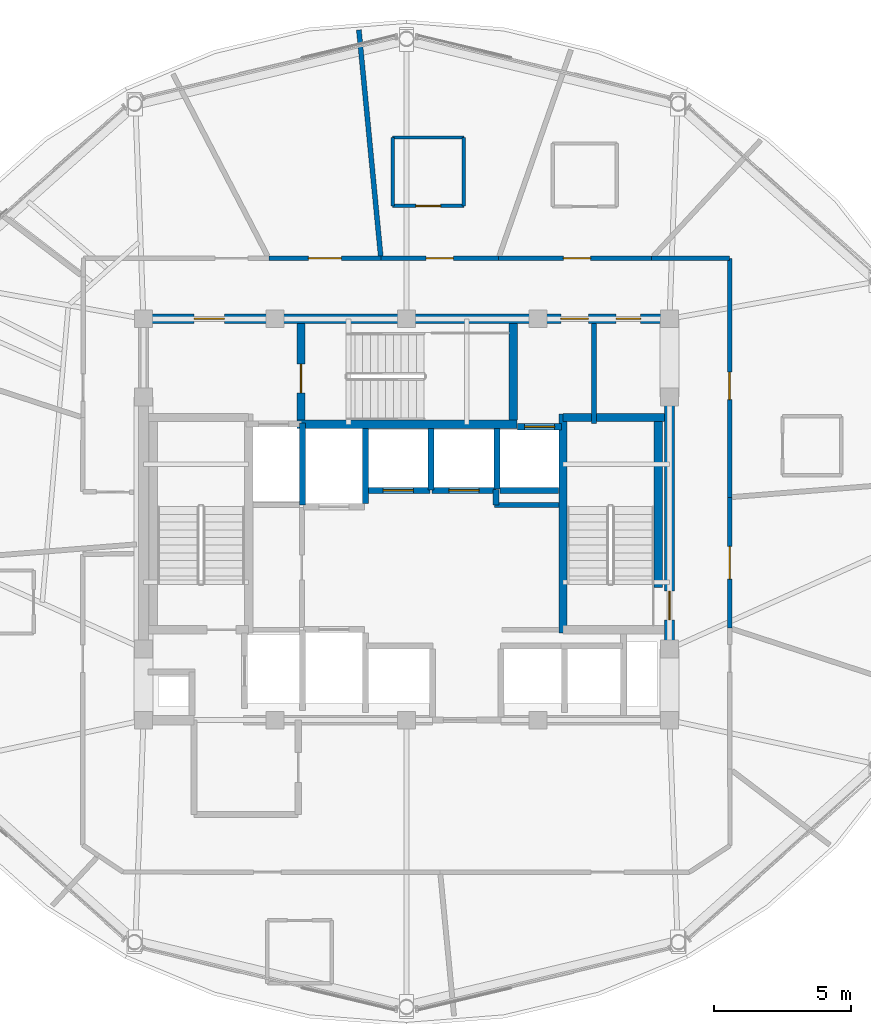
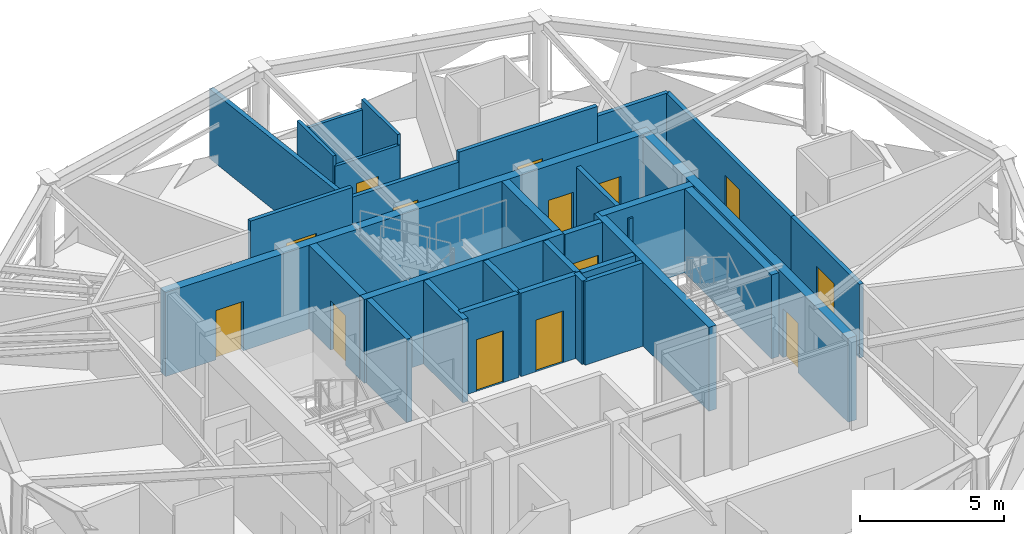
# One storey, part 10 of 15: 30 walls, 14 doors, 14 openings.
"""IFC4 building model written with IfcOpenShell, lengths in metres."""

from ifc_helpers import new_model, si_unit, direction, frame, frame_2d, origin, place, context, subcontext, project, spatial, rectangle, extrude, material, layer, layer_set, type_object, element, fill, save


model = new_model("IFC4")

# Units and contexts
model_context = context("Model", 3, precision=1e-05, world=origin(), true_north=direction((0.0, 1.0)))
body_context = subcontext(model_context, "Body", "Model", "MODEL_VIEW")
ifc_project = project(units=[si_unit("LENGTHUNIT", "METRE"), si_unit("AREAUNIT", "SQUARE_METRE"), si_unit("VOLUMEUNIT", "CUBIC_METRE"), si_unit("PLANEANGLEUNIT", "RADIAN"), si_unit("MASSUNIT", "GRAM", prefix="KILO")], contexts=[model_context])

# Site, building, storey
site_placement = place(None, origin())
site = spatial("IfcSite", under=ifc_project, at=site_placement, CompositionType="ELEMENT")
building_placement = place(site_placement, origin())
building = spatial("IfcBuilding", under=site, at=building_placement, Name="Vantalir Tower", CompositionType="ELEMENT")
storey_placement = place(building_placement, frame((0.0, 0.0, 263.85009765625)))
storey = spatial("IfcBuildingStorey", under=building, at=storey_placement, Name="L66", CompositionType="ELEMENT", Elevation=263.85009765625)

# Wall, opening, door
ifc_material_1 = material(Name="Moisture-resistant en-suite partition", Category="gypsum")
ifc_layer_1 = layer(ifc_material_1, 0.125)
ifc_layer_set_1 = layer_set([ifc_layer_1], Name="Moisture-resistant en-suite partition")
wall_type_1 = type_object("IfcWallType", Name="WL-BATH-125", PredefinedType="PARTITIONING", material=ifc_layer_set_1)
wall_1_placement = place(storey_placement, frame((30.993896484375, 36.569091796875, 0.0), z_axis=(0.0, 0.0, 1.0), x_axis=(1.0, 0.0, 0.0)))
wall_1 = element("IfcWall", 1, at=wall_1_placement, inside=storey, type_object=wall_type_1, Name="L66 En-suite 03 South Wall", PredefinedType="PARTITIONING", context=body_context, shape_type="SweptSolid", body=[
    extrude(rectangle(XDim=2.60009765625, YDim=0.125, at=frame_2d((1.300048828125, 0.0))), origin(), (0.0, 0.0, 1.0), 3.1318359375),
])
opening_1_placement = place(wall_1_placement, frame((0.85009765625, 0.0, 0.0)))
opening_1 = element("IfcOpeningElement", 2, at=opening_1_placement, cuts=wall_1, Name="Opening D-WC", PredefinedType="OPENING", context=body_context, shape_type="SweptSolid", body=[
    extrude(rectangle(XDim=0.89990234375, YDim=2.10009765625, at=frame_2d((0.449951171875, 1.050048828125))), frame((0.0, 0.072509765625, 0.0), z_axis=(0.0, -1.0, 0.0), x_axis=(1.0, 0.0, 0.0)), (0.0, 0.0, 1.0), 0.14501953125),
])
ifc_material_2 = material(Name="Moisture-resistant hardwood door", Category="wood")
door_type_1 = type_object("IfcDoorType", Name="DR-ENSUITE-900", OperationType="NOTDEFINED", PredefinedType="DOOR", material=ifc_material_2)
door_1_placement = place(opening_1_placement, origin())
door_1 = element("IfcDoor", 3, at=door_1_placement, inside=storey, type_object=door_type_1, Name="L66 En-suite 03 Door", OperationType="SINGLE_SWING_RIGHT", OverallHeight=2.10009765625, OverallWidth=0.89990234375, PredefinedType="DOOR", context=body_context, shape_type="SweptSolid", body=[
    extrude(rectangle(XDim=0.89990234375, YDim=2.10009765625, at=frame_2d((0.449951171875, 1.050048828125))), frame((0.0, 0.02490234375, 0.0), z_axis=(0.0, -1.0, 0.0), x_axis=(1.0, 0.0, 0.0)), (0.0, 0.0, 1.0), 0.050048828125),
])
fill(opening_1, door_1)

# Walls
wall_2_placement = place(storey_placement, frame((30.993896484375, 39.069091796875, 0.0), z_axis=(0.0, 0.0, 1.0), x_axis=(1.0, 0.0, 0.0)))
element("IfcWall", 4, at=wall_2_placement, inside=storey, type_object=wall_type_1, Name="L66 En-suite 03 North Wall", PredefinedType="PARTITIONING", context=body_context, shape_type="SweptSolid", body=[
    extrude(rectangle(XDim=2.60009765625, YDim=0.125, at=frame_2d((1.300048828125, 0.0))), origin(), (0.0, 0.0, 1.0), 3.1318359375),
])
for number, where, z_axis, x_axis, name in (
    (5, (30.993896484375, 36.569091796875, 0.0), (0.0, 0.0, 1.0), (0.0, 1.0, 0.0), "L66 En-suite 03 West Wall"),
    (6, (33.593994140625, 36.569091796875, 0.0), (0.0, 0.0, 1.0), (0.0, 1.0, 0.0), "L66 En-suite 03 East Wall"),
):
    element("IfcWall", number, at=place(storey_placement, frame(where, z_axis=z_axis, x_axis=x_axis)), inside=storey, type_object=wall_type_1, Name=name, PredefinedType="PARTITIONING", context=body_context, shape_type="SweptSolid", body=[
        extrude(rectangle(XDim=2.5, YDim=0.125, at=frame_2d((1.25, 0.0))), origin(), (0.0, 0.0, 1.0), 3.5498046875),
    ])

# Wall, openings, doors
ifc_material_3 = material(Name="Concrete C50/60", Category="concrete")
ifc_layer_2 = layer(ifc_material_3, 0.35009765625)
ifc_layer_set_2 = layer_set([ifc_layer_2], Name="Concrete C50/60")
wall_type_2 = type_object("IfcWallType", Name="WL-CORE-350", PredefinedType="SHEAR", material=ifc_layer_set_2)
wall_3_placement = place(storey_placement, frame((21.72509765625, 32.449951171875, 0.0), z_axis=(0.0, 0.0, 1.0), x_axis=(1.0, 0.0, 0.0)))
wall_3 = element("IfcWall", 7, at=wall_3_placement, inside=storey, type_object=wall_type_2, Name="L66 Core Shear Wall North", PredefinedType="SHEAR", context=body_context, shape_type="SweptSolid", body=[
    extrude(rectangle(XDim=19.5498046875, YDim=0.35009765625, at=frame_2d((9.77490234375, 0.0))), origin(), (0.0, 0.0, 1.0), 3.56982421875),
])
opening_2_placement = place(wall_3_placement, frame((2.02490234375, 0.0, 0.0)))
opening_2 = element("IfcOpeningElement", 8, at=opening_2_placement, cuts=wall_3, Name="Opening D-FFL", PredefinedType="OPENING", context=body_context, shape_type="SweptSolid", body=[
    extrude(rectangle(XDim=1.10009765625, YDim=2.10009765625, at=frame_2d((0.550048828125, 1.050048828125))), frame((0.0, 0.18505859375, 0.0), z_axis=(0.0, -1.0, 0.0), x_axis=(1.0, 0.0, 0.0)), (0.0, 0.0, 1.0), 0.3701171875),
])
opening_3_placement = place(wall_3_placement, frame((15.4150390625, 0.0, 0.0)))
opening_3 = element("IfcOpeningElement", 9, at=opening_3_placement, cuts=wall_3, Name="Opening D-GUEST", PredefinedType="OPENING", context=body_context, shape_type="SweptSolid", body=[
    extrude(rectangle(XDim=1.0, YDim=2.10009765625, at=frame_2d((0.5, 1.050048828125))), frame((0.0, 0.18505859375, 0.0), z_axis=(0.0, -1.0, 0.0), x_axis=(1.0, 0.0, 0.0)), (0.0, 0.0, 1.0), 0.3701171875),
])
opening_4_placement = place(wall_3_placement, frame((17.425048828125, 0.0, 0.0)))
opening_4 = element("IfcOpeningElement", 10, at=opening_4_placement, cuts=wall_3, Name="Opening D-CR", PredefinedType="OPENING", context=body_context, shape_type="SweptSolid", body=[
    extrude(rectangle(XDim=0.89990234375, YDim=2.10009765625, at=frame_2d((0.449951171875, 1.050048828125))), frame((0.0, 0.18505859375, 0.0), z_axis=(0.0, -1.0, 0.0), x_axis=(1.0, 0.0, 0.0)), (0.0, 0.0, 1.0), 0.3701171875),
])
ifc_material_4 = material(Name="Fire-rated steel core service door", Category="steel")
door_type_2 = type_object("IfcDoorType", Name="DR-CORE-SERV-900", OperationType="NOTDEFINED", PredefinedType="DOOR", material=ifc_material_4)
door_2_placement = place(opening_4_placement, frame((0.89990234375, 0.0, 0.0), z_axis=(0.0, 0.0, 1.0), x_axis=(-1.0, 0.0, 0.0)))
door_2 = element("IfcDoor", 11, at=door_2_placement, inside=storey, type_object=door_type_2, Name="L66 Housekeeping and Linen Room Door", OperationType="SINGLE_SWING_RIGHT", OverallHeight=2.10009765625, OverallWidth=0.89990234375, PredefinedType="DOOR", context=body_context, shape_type="SweptSolid", body=[
    extrude(rectangle(XDim=0.89990234375, YDim=2.10009765625, at=frame_2d((0.449951171875, 1.050048828125))), frame((0.0, 0.02490234375, 0.0), z_axis=(0.0, -1.0, 0.0), x_axis=(1.0, 0.0, 0.0)), (0.0, 0.0, 1.0), 0.050048828125),
])
fill(opening_4, door_2)
ifc_material_5 = material(Name="Fire-rated acoustic steel door", Category="steel")
door_type_3 = type_object("IfcDoorType", Name="DR-FIRE-LOBBY-1100", OperationType="NOTDEFINED", PredefinedType="DOOR", material=ifc_material_5)
door_3_placement = place(opening_2_placement, frame((1.10009765625, 0.0, 0.0), z_axis=(0.0, 0.0, 1.0), x_axis=(-1.0, 0.0, 0.0)))
door_3 = element("IfcDoor", 12, at=door_3_placement, inside=storey, type_object=door_type_3, Name="L66 Firefighting Lobby East Access Door", OperationType="SINGLE_SWING_RIGHT", OverallHeight=2.10009765625, OverallWidth=1.10009765625, PredefinedType="DOOR", context=body_context, shape_type="SweptSolid", body=[
    extrude(rectangle(XDim=1.10009765625, YDim=2.10009765625, at=frame_2d((0.550048828125, 1.050048828125))), frame((0.0, 0.02490234375, 0.0), z_axis=(0.0, -1.0, 0.0), x_axis=(1.0, 0.0, 0.0)), (0.0, 0.0, 1.0), 0.050048828125),
])
fill(opening_2, door_3)
ifc_material_6 = material(Name="Solid-core teak veneer acoustic fire door", Category="wood")
door_type_4 = type_object("IfcDoorType", Name="DR-GUEST-ENTRY-1000", OperationType="NOTDEFINED", PredefinedType="DOOR", material=ifc_material_6)
door_4_placement = place(opening_3_placement, frame((1.0, 0.0, 0.0), z_axis=(0.0, 0.0, 1.0), x_axis=(-1.0, 0.0, 0.0)))
door_4 = element("IfcDoor", 13, at=door_4_placement, inside=storey, type_object=door_type_4, Name="L66 High-Rise Lift Lobby Door", OperationType="SINGLE_SWING_LEFT", OverallHeight=2.10009765625, OverallWidth=1.0, PredefinedType="DOOR", context=body_context, shape_type="SweptSolid", body=[
    extrude(rectangle(XDim=1.0, YDim=2.10009765625, at=frame_2d((0.5, 1.050048828125))), frame((0.0, 0.02490234375, 0.0), z_axis=(0.0, -1.0, 0.0), x_axis=(1.0, 0.0, 0.0)), (0.0, 0.0, 1.0), 0.050048828125),
])
fill(opening_3, door_4)

# Wall, opening, door
wall_4_placement = place(storey_placement, frame((41.10009765625, 17.97509765625, 0.0), z_axis=(0.0, 0.0, 1.0), x_axis=(0.0, 1.0, 0.0)))
wall_4 = element("IfcWall", 14, at=wall_4_placement, inside=storey, type_object=wall_type_2, Name="L66 Core Shear Wall East", PredefinedType="SHEAR", context=body_context, shape_type="SweptSolid", body=[
    extrude(rectangle(XDim=14.2998046875, YDim=0.35009765625, at=frame_2d((7.14990234375, 0.0))), origin(), (0.0, 0.0, 1.0), 3.56982421875),
])
opening_5_placement = place(wall_4_placement, frame((3.485107421875, 0.0, 0.0)))
opening_5 = element("IfcOpeningElement", 15, at=opening_5_placement, cuts=wall_4, Name="Opening D-ST", PredefinedType="OPENING", context=body_context, shape_type="SweptSolid", body=[
    extrude(rectangle(XDim=1.050048828125, YDim=2.10009765625, at=frame_2d((0.52490234375, 1.050048828125))), frame((0.0, 0.18505859375, 0.0), z_axis=(0.0, -1.0, 0.0), x_axis=(1.0, 0.0, 0.0)), (0.0, 0.0, 1.0), 0.3701171875),
])
ifc_material_7 = material(Name="Fire-rated steel door leaf", Category="steel")
door_type_5 = type_object("IfcDoorType", Name="DR-FIRE-STAIR-1050", OperationType="NOTDEFINED", PredefinedType="DOOR", material=ifc_material_7)
door_5_placement = place(opening_5_placement, origin())
door_5 = element("IfcDoor", 16, at=door_5_placement, inside=storey, type_object=door_type_5, Name="L66 Exit Stair ST2 Fire Door", OperationType="SINGLE_SWING_LEFT", OverallHeight=2.10009765625, OverallWidth=1.050048828125, PredefinedType="DOOR", context=body_context, shape_type="SweptSolid", body=[
    extrude(rectangle(XDim=1.050048828125, YDim=2.10009765625, at=frame_2d((0.52490234375, 1.050048828125))), frame((0.0, 0.02490234375, 0.0), z_axis=(0.0, -1.0, 0.0), x_axis=(1.0, 0.0, 0.0)), (0.0, 0.0, 1.0), 0.050048828125),
])
fill(opening_5, door_5)

ifc_material_8 = material(Name="Fire-rated hotel corridor acoustic partition", Category="gypsum")
ifc_layer_3 = layer(ifc_material_8, 0.159912109375)
ifc_layer_set_3 = layer_set([ifc_layer_3], Name="Fire-rated hotel corridor acoustic partition")
wall_type_3 = type_object("IfcWallType", Name="WL-CORR-160", PredefinedType="PARTITIONING", material=ifc_layer_set_3)
wall_5_placement = place(storey_placement, frame((26.47412109375, 34.660888671875, 0.0), z_axis=(0.0, 0.0, 1.0), x_axis=(1.0, 0.0, 0.0)))
wall_5 = element("IfcWall", 17, at=wall_5_placement, inside=storey, type_object=wall_type_3, Name="L66 Corridor Partition 06", PredefinedType="PARTITIONING", context=body_context, shape_type="SweptSolid", body=[
    extrude(rectangle(XDim=4.093994140625, YDim=0.159912109375, at=frame_2d((2.046875, 0.0))), origin(), (0.0, 0.0, 1.0), 3.5498046875),
])
opening_6_placement = place(wall_5_placement, frame((1.447021484375, 0.0, 0.0)))
opening_6 = element("IfcOpeningElement", 18, at=opening_6_placement, cuts=wall_5, Name="Opening D-STE", PredefinedType="OPENING", context=body_context, shape_type="SweptSolid", body=[
    extrude(rectangle(XDim=1.199951171875, YDim=2.10009765625, at=frame_2d((0.60009765625, 1.050048828125))), frame((0.0, 0.08984375, 0.0), z_axis=(0.0, -1.0, 0.0), x_axis=(1.0, 0.0, 0.0)), (0.0, 0.0, 1.0), 0.179931640625),
])
ifc_material_9 = material(Name="Solid-core teak veneer suite entrance door", Category="wood")
door_type_6 = type_object("IfcDoorType", Name="DR-SUITE-ENTRY-1200", OperationType="NOTDEFINED", PredefinedType="DOOR", material=ifc_material_9)
door_6_placement = place(opening_6_placement, origin())
door_6 = element("IfcDoor", 19, at=door_6_placement, inside=storey, type_object=door_type_6, Name="L66 Club Reading Lounge 04 Door", OperationType="SINGLE_SWING_RIGHT", OverallHeight=2.10009765625, OverallWidth=1.199951171875, PredefinedType="DOOR", context=body_context, shape_type="SweptSolid", body=[
    extrude(rectangle(XDim=1.199951171875, YDim=2.10009765625, at=frame_2d((0.60009765625, 1.050048828125))), frame((0.0, 0.02490234375, 0.0), z_axis=(0.0, -1.0, 0.0), x_axis=(1.0, 0.0, 0.0)), (0.0, 0.0, 1.0), 0.050048828125),
])
fill(opening_6, door_6)

wall_6_placement = place(storey_placement, frame((30.568115234375, 34.660888671875, 0.0), z_axis=(0.0, 0.0, 1.0), x_axis=(1.0, 0.0, 0.0)))
wall_6 = element("IfcWall", 20, at=wall_6_placement, inside=storey, type_object=wall_type_3, Name="L66 Corridor Partition 07", PredefinedType="PARTITIONING", context=body_context, shape_type="SweptSolid", body=[
    extrude(rectangle(XDim=4.2919921875, YDim=0.159912109375, at=frame_2d((2.14599609375, 0.0))), origin(), (0.0, 0.0, 1.0), 3.1318359375),
])
opening_7_placement = place(wall_6_placement, frame((1.64599609375, 0.0, 0.0)))
opening_7 = element("IfcOpeningElement", 21, at=opening_7_placement, cuts=wall_6, Name="Opening D-GUEST", PredefinedType="OPENING", context=body_context, shape_type="SweptSolid", body=[
    extrude(rectangle(XDim=1.0, YDim=2.10009765625, at=frame_2d((0.5, 1.050048828125))), frame((0.0, 0.08984375, 0.0), z_axis=(0.0, -1.0, 0.0), x_axis=(1.0, 0.0, 0.0)), (0.0, 0.0, 1.0), 0.179931640625),
])
door_7_placement = place(opening_7_placement, origin())
door_7 = element("IfcDoor", 22, at=door_7_placement, inside=storey, type_object=door_type_4, Name="L66 Twin Queen Hotel Room 03 Door", OperationType="SINGLE_SWING_LEFT", OverallHeight=2.10009765625, OverallWidth=1.0, PredefinedType="DOOR", context=body_context, shape_type="SweptSolid", body=[
    extrude(rectangle(XDim=1.0, YDim=2.10009765625, at=frame_2d((0.5, 1.050048828125))), frame((0.0, 0.02490234375, 0.0), z_axis=(0.0, -1.0, 0.0), x_axis=(1.0, 0.0, 0.0)), (0.0, 0.0, 1.0), 0.050048828125),
])
fill(opening_7, door_7)

wall_7_placement = place(storey_placement, frame((34.860107421875, 34.660888671875, 0.0), z_axis=(0.0, 0.0, 1.0), x_axis=(0.99999998469, -0.00017498578, 0.0)))
wall_7 = element("IfcWall", 23, at=wall_7_placement, inside=storey, type_object=wall_type_3, Name="L66 Corridor Partition 08", PredefinedType="PARTITIONING", context=body_context, shape_type="SweptSolid", body=[
    extrude(rectangle(XDim=5.580810546875, YDim=0.159912109375, at=frame_2d((2.79052734375, 0.0))), origin(), (0.0, 0.0, 1.0), 3.5498046875),
])
opening_8_placement = place(wall_7_placement, frame((2.364013671875, 0.0, 0.0)))
opening_8 = element("IfcOpeningElement", 24, at=opening_8_placement, cuts=wall_7, Name="Opening D-GUEST", PredefinedType="OPENING", context=body_context, shape_type="SweptSolid", body=[
    extrude(rectangle(XDim=1.0, YDim=2.10009765625, at=frame_2d((0.5, 1.050048828125))), frame((0.0, 0.08984375, 0.0), z_axis=(0.0, -1.0, 0.0), x_axis=(1.0, 0.0, 0.0)), (0.0, 0.0, 1.0), 0.179931640625),
])
door_8_placement = place(opening_8_placement, origin())
door_8 = element("IfcDoor", 25, at=door_8_placement, inside=storey, type_object=door_type_4, Name="L66 Deluxe King Hotel Room 02 Door", OperationType="SINGLE_SWING_RIGHT", OverallHeight=2.10009765625, OverallWidth=1.0, PredefinedType="DOOR", context=body_context, shape_type="SweptSolid", body=[
    extrude(rectangle(XDim=1.0, YDim=2.10009765625, at=frame_2d((0.5, 1.050048828125))), frame((0.0, 0.02490234375, 0.0), z_axis=(0.0, -1.0, 0.0), x_axis=(1.0, 0.0, 0.0)), (0.0, 0.0, 1.0), 0.050048828125),
])
fill(opening_8, door_8)

# Wall
wall_8_placement = place(storey_placement, frame((40.44091796875, 34.659912109375, 0.0), z_axis=(0.0, 0.0, 1.0), x_axis=(1.0, 0.0, 0.0)))
element("IfcWall", 26, at=wall_8_placement, inside=storey, type_object=wall_type_3, Name="L66 Corridor Partition 09", PredefinedType="PARTITIONING", context=body_context, shape_type="SweptSolid", body=[
    extrude(rectangle(XDim=2.85302734375, YDim=0.159912109375, at=frame_2d((1.426513671875, 0.0))), origin(), (0.0, 0.0, 1.0), 3.1318359375),
])

# Wall, opening, door
wall_9_placement = place(storey_placement, frame((43.2939453125, 34.659912109375, 0.0), z_axis=(0.0, 0.0, 1.0), x_axis=(0.000699633221, -0.999999755257, 0.0)))
wall_9 = element("IfcWall", 27, at=wall_9_placement, inside=storey, type_object=wall_type_3, Name="L66 Corridor Partition 10", PredefinedType="PARTITIONING", context=body_context, shape_type="SweptSolid", body=[
    extrude(rectangle(XDim=8.723876953125, YDim=0.159912109375, at=frame_2d((4.36181640625, 0.0))), origin(), (0.0, 0.0, 1.0), 3.1318359375),
])
opening_9_placement = place(wall_9_placement, frame((4.157958984375, 0.0, 0.0)))
opening_9 = element("IfcOpeningElement", 28, at=opening_9_placement, cuts=wall_9, Name="Opening D-GUEST", PredefinedType="OPENING", context=body_context, shape_type="SweptSolid", body=[
    extrude(rectangle(XDim=1.0, YDim=2.10009765625, at=frame_2d((0.5, 1.050048828125))), frame((0.0, 0.08984375, 0.0), z_axis=(0.0, -1.0, 0.0), x_axis=(1.0, 0.0, 0.0)), (0.0, 0.0, 1.0), 0.179931640625),
])
door_9_placement = place(opening_9_placement, origin())
door_9 = element("IfcDoor", 29, at=door_9_placement, inside=storey, type_object=door_type_4, Name="L66 Twin Queen Hotel Room 01 Door", OperationType="SINGLE_SWING_LEFT", OverallHeight=2.10009765625, OverallWidth=1.0, PredefinedType="DOOR", context=body_context, shape_type="SweptSolid", body=[
    extrude(rectangle(XDim=1.0, YDim=2.10009765625, at=frame_2d((0.5, 1.050048828125))), frame((0.0, 0.02490234375, 0.0), z_axis=(0.0, -1.0, 0.0), x_axis=(1.0, 0.0, 0.0)), (0.0, 0.0, 1.0), 0.050048828125),
])
fill(opening_9, door_9)

wall_10_placement = place(storey_placement, frame((43.300048828125, 25.93603515625, 0.0), z_axis=(0.0, 0.0, 1.0), x_axis=(0.000613151998, -0.999999812022, 0.0)))
wall_10 = element("IfcWall", 30, at=wall_10_placement, inside=storey, type_object=wall_type_3, Name="L66 Corridor Partition 11", PredefinedType="PARTITIONING", context=body_context, shape_type="SweptSolid", body=[
    extrude(rectangle(XDim=4.778076171875, YDim=0.159912109375, at=frame_2d((2.38916015625, 0.0))), origin(), (0.0, 0.0, 1.0), 3.1318359375),
])
opening_10_placement = place(wall_10_placement, frame((1.7890625, 0.0, 0.0)))
opening_10 = element("IfcOpeningElement", 31, at=opening_10_placement, cuts=wall_10, Name="Opening D-STE", PredefinedType="OPENING", context=body_context, shape_type="SweptSolid", body=[
    extrude(rectangle(XDim=1.199951171875, YDim=2.10009765625, at=frame_2d((0.60009765625, 1.050048828125))), frame((0.0, 0.08984375, 0.0), z_axis=(0.0, -1.0, 0.0), x_axis=(1.0, 0.0, 0.0)), (0.0, 0.0, 1.0), 0.179931640625),
])
door_10_placement = place(opening_10_placement, origin())
door_10 = element("IfcDoor", 32, at=door_10_placement, inside=storey, type_object=door_type_6, Name="L66 Executive Sky Boardroom 12 Door", OperationType="SINGLE_SWING_RIGHT", OverallHeight=2.10009765625, OverallWidth=1.199951171875, PredefinedType="DOOR", context=body_context, shape_type="SweptSolid", body=[
    extrude(rectangle(XDim=1.199951171875, YDim=2.10009765625, at=frame_2d((0.60009765625, 1.050048828125))), frame((0.0, 0.02490234375, 0.0), z_axis=(0.0, -1.0, 0.0), x_axis=(1.0, 0.0, 0.0)), (0.0, 0.0, 1.0), 0.050048828125),
])
fill(opening_10, door_10)

# Walls
ifc_material_10 = material(Name="Concrete blockwork with fireboard lining", Category="masonry")
ifc_layer_4 = layer(ifc_material_10, 0.219970703125)
ifc_layer_set_4 = layer_set([ifc_layer_4], Name="Concrete blockwork with fireboard lining")
wall_type_4 = type_object("IfcWallType", Name="WL-FFL-220", PredefinedType="PARTITIONING", material=ifc_layer_set_4)
wall_11_placement = place(storey_placement, frame((30.0, 25.7099609375, 0.0), z_axis=(0.0, 0.0, 1.0), x_axis=(0.0, 1.0, 0.0)))
element("IfcWall", 33, at=wall_11_placement, inside=storey, type_object=wall_type_4, Name="L66 Service Lift SV2 East Shaft Wall", PredefinedType="PARTITIONING", context=body_context, shape_type="SweptSolid", body=[
    extrude(rectangle(XDim=2.72998046875, YDim=0.219970703125, at=frame_2d((1.364990234375, 0.0))), origin(), (0.0, 0.0, 1.0), 3.544921875),
])
wall_12_placement = place(storey_placement, frame((32.39990234375, 26.199951171875, 0.0), z_axis=(0.0, 0.0, 1.0), x_axis=(0.0, 1.0, 0.0)))
element("IfcWall", 34, at=wall_12_placement, inside=storey, type_object=wall_type_4, Name="L66 High-Rise Lift PL-H1/H2 Shaft Divider", PredefinedType="PARTITIONING", context=body_context, shape_type="SweptSolid", body=[
    extrude(rectangle(XDim=2.239990234375, YDim=0.219970703125, at=frame_2d((1.1201171875, 0.0))), origin(), (0.0, 0.0, 1.0), 3.544921875),
])
wall_13_placement = place(storey_placement, frame((34.800048828125, 26.22998046875, 0.0), z_axis=(0.0, 0.0, 1.0), x_axis=(0.0, 1.0, 0.0)))
element("IfcWall", 35, at=wall_13_placement, inside=storey, type_object=wall_type_4, Name="L66 High-Rise Lift PL-H2/H3 Shaft Divider", PredefinedType="PARTITIONING", context=body_context, shape_type="SweptSolid", body=[
    extrude(rectangle(XDim=2.2099609375, YDim=0.219970703125, at=frame_2d((1.10498046875, 0.0))), origin(), (0.0, 0.0, 1.0), 3.544921875),
])
wall_14_placement = place(storey_placement, frame((34.909912109375, 26.18994140625, 0.0), z_axis=(0.0, 0.0, 1.0), x_axis=(1.0, 0.0, 0.0)))
element("IfcWall", 36, at=wall_14_placement, inside=storey, type_object=wall_type_4, Name="L66 High-Rise Lift PL-H3 Rear Shaft Wall", PredefinedType="PARTITIONING", context=body_context, shape_type="SweptSolid", body=[
    extrude(rectangle(XDim=2.14013671875, YDim=0.219970703125, at=frame_2d((1.070068359375, 0.0))), origin(), (0.0, 0.0, 1.0), 3.544921875),
])

# Wall, opening, door
wall_15_placement = place(storey_placement, frame((30.0400390625, 26.18994140625, 0.0), z_axis=(0.0, 0.0, 1.0), x_axis=(1.0, 0.0, 0.0)))
wall_15 = element("IfcWall", 37, at=wall_15_placement, inside=storey, type_object=wall_type_4, Name="L66 Lift PL-H1 Shaft Front Wall", PredefinedType="PARTITIONING", context=body_context, shape_type="SweptSolid", body=[
    extrude(rectangle(XDim=2.320068359375, YDim=0.219970703125, at=frame_2d((1.16015625, 0.0))), origin(), (0.0, 0.0, 1.0), 3.5498046875),
])
opening_11_placement = place(wall_15_placement, frame((0.610107421875, 0.0, 0.0)))
opening_11 = element("IfcOpeningElement", 38, at=opening_11_placement, cuts=wall_15, Name="Opening LD-PL-H1", PredefinedType="OPENING", context=body_context, shape_type="SweptSolid", body=[
    extrude(rectangle(XDim=1.10009765625, YDim=2.199951171875, at=frame_2d((0.550048828125, 1.10009765625))), frame((0.0, 0.119873046875, 0.0), z_axis=(0.0, -1.0, 0.0), x_axis=(1.0, 0.0, 0.0)), (0.0, 0.0, 1.0), 0.239990234375),
])
ifc_material_11 = material(Name="Brushed stainless-steel sliding lift landing door", Category="steel")
door_type_7 = type_object("IfcDoorType", Name="DR-LIFT-LANDING-1100", OperationType="DOUBLE_DOOR_SLIDING", PredefinedType="DOOR", material=ifc_material_11)
door_11_placement = place(opening_11_placement, frame((1.10009765625, 0.0, 0.0), z_axis=(0.0, 0.0, 1.0), x_axis=(-1.0, 0.0, 0.0)))
door_11 = element("IfcDoor", 39, at=door_11_placement, inside=storey, type_object=door_type_7, Name="L66 Lift Landing Door PL-H1", OperationType="DOUBLE_DOOR_SLIDING", OverallHeight=2.199951171875, OverallWidth=1.10009765625, PredefinedType="DOOR", context=body_context, shape_type="SweptSolid", body=[
    extrude(rectangle(XDim=1.10009765625, YDim=2.199951171875, at=frame_2d((0.550048828125, 1.10009765625))), frame((0.0, 0.02490234375, 0.0), z_axis=(0.0, -1.0, 0.0), x_axis=(1.0, 0.0, 0.0)), (0.0, 0.0, 1.0), 0.050048828125),
])
fill(opening_11, door_11)

wall_16_placement = place(storey_placement, frame((32.43994140625, 26.18994140625, 0.0), z_axis=(0.0, 0.0, 1.0), x_axis=(1.0, 0.0, 0.0)))
wall_16 = element("IfcWall", 40, at=wall_16_placement, inside=storey, type_object=wall_type_4, Name="L66 Lift PL-H2 Shaft Front Wall", PredefinedType="PARTITIONING", context=body_context, shape_type="SweptSolid", body=[
    extrude(rectangle(XDim=2.320068359375, YDim=0.219970703125, at=frame_2d((1.16015625, 0.0))), origin(), (0.0, 0.0, 1.0), 3.5498046875),
])
opening_12_placement = place(wall_16_placement, frame((0.610107421875, 0.0, 0.0)))
opening_12 = element("IfcOpeningElement", 41, at=opening_12_placement, cuts=wall_16, Name="Opening LD-PL-H2", PredefinedType="OPENING", context=body_context, shape_type="SweptSolid", body=[
    extrude(rectangle(XDim=1.10009765625, YDim=2.199951171875, at=frame_2d((0.550048828125, 1.10009765625))), frame((0.0, 0.119873046875, 0.0), z_axis=(0.0, -1.0, 0.0), x_axis=(1.0, 0.0, 0.0)), (0.0, 0.0, 1.0), 0.239990234375),
])
door_12_placement = place(opening_12_placement, frame((1.10009765625, 0.0, 0.0), z_axis=(0.0, 0.0, 1.0), x_axis=(-1.0, 0.0, 0.0)))
door_12 = element("IfcDoor", 42, at=door_12_placement, inside=storey, type_object=door_type_7, Name="L66 Lift Landing Door PL-H2", OperationType="DOUBLE_DOOR_SLIDING", OverallHeight=2.199951171875, OverallWidth=1.10009765625, PredefinedType="DOOR", context=body_context, shape_type="SweptSolid", body=[
    extrude(rectangle(XDim=1.10009765625, YDim=2.199951171875, at=frame_2d((0.550048828125, 1.10009765625))), frame((0.0, 0.02490234375, 0.0), z_axis=(0.0, -1.0, 0.0), x_axis=(1.0, 0.0, 0.0)), (0.0, 0.0, 1.0), 0.050048828125),
])
fill(opening_12, door_12)

wall_17_placement = place(storey_placement, frame((35.56005859375, 28.510009765625, 0.0), z_axis=(0.0, 0.0, 1.0), x_axis=(1.0, 0.0, 0.0)))
wall_17 = element("IfcWall", 43, at=wall_17_placement, inside=storey, type_object=wall_type_4, Name="L66 Lift PL-H3 Shaft Front Wall", PredefinedType="PARTITIONING", context=body_context, shape_type="SweptSolid", body=[
    extrude(rectangle(XDim=1.599853515625, YDim=0.219970703125, at=frame_2d((0.7998046875, 0.0))), origin(), (0.0, 0.0, 1.0), 3.5498046875),
])
opening_13_placement = place(wall_17_placement, frame((0.25, 0.0, 0.0)))
opening_13 = element("IfcOpeningElement", 44, at=opening_13_placement, cuts=wall_17, Name="Opening LD-PL-H3", PredefinedType="OPENING", context=body_context, shape_type="SweptSolid", body=[
    extrude(rectangle(XDim=1.10009765625, YDim=2.199951171875, at=frame_2d((0.550048828125, 1.10009765625))), frame((0.0, 0.119873046875, 0.0), z_axis=(0.0, -1.0, 0.0), x_axis=(1.0, 0.0, 0.0)), (0.0, 0.0, 1.0), 0.239990234375),
])
door_13_placement = place(opening_13_placement, origin())
door_13 = element("IfcDoor", 45, at=door_13_placement, inside=storey, type_object=door_type_7, Name="L66 Lift Landing Door PL-H3", OperationType="DOUBLE_DOOR_SLIDING", OverallHeight=2.199951171875, OverallWidth=1.10009765625, PredefinedType="DOOR", context=body_context, shape_type="SweptSolid", body=[
    extrude(rectangle(XDim=1.10009765625, YDim=2.199951171875, at=frame_2d((0.550048828125, 1.10009765625))), frame((0.0, 0.02490234375, 0.0), z_axis=(0.0, -1.0, 0.0), x_axis=(1.0, 0.0, 0.0)), (0.0, 0.0, 1.0), 0.050048828125),
])
fill(opening_13, door_13)

# Walls
wall_18_placement = place(storey_placement, frame((27.699951171875, 25.64990234375, 0.0), z_axis=(0.0, 0.0, 1.0), x_axis=(0.0, 1.0, 0.0)))
element("IfcWall", 46, at=wall_18_placement, inside=storey, type_object=wall_type_4, Name="L66 Fire Lift FL2 Dividing Wall", PredefinedType="PARTITIONING", context=body_context, shape_type="SweptSolid", body=[
    extrude(rectangle(XDim=3.0, YDim=0.219970703125, at=frame_2d((1.5, 0.0))), origin(), (0.0, 0.0, 1.0), 3.5498046875),
])
wall_19_placement = place(storey_placement, frame((34.760009765625, 25.64990234375, 0.0), z_axis=(0.0, 0.0, 1.0), x_axis=(0.0, 1.0, 0.0)))
element("IfcWall", 47, at=wall_19_placement, inside=storey, type_object=wall_type_4, Name="L66 High-Rise Shaft Shoulder Wall", PredefinedType="PARTITIONING", context=body_context, shape_type="SweptSolid", body=[
    extrude(rectangle(XDim=0.570068359375, YDim=0.219970703125, at=frame_2d((0.28515625, 0.0))), origin(), (0.0, 0.0, 1.0), 3.5498046875),
])
ifc_material_12 = material(Name="Twin-stud acoustic fire-rated gypsum partition", Category="gypsum")
ifc_layer_5 = layer(ifc_material_12, 0.179931640625)
ifc_layer_set_5 = layer_set([ifc_layer_5], Name="Twin-stud acoustic fire-rated gypsum partition")
wall_type_5 = type_object("IfcWallType", Name="WL-GUEST-180", PredefinedType="PARTITIONING", material=ifc_layer_set_5)
wall_20_placement = place(storey_placement, frame((34.719970703125, 25.64990234375, 0.0), z_axis=(0.0, 0.0, 1.0), x_axis=(1.0, 0.0, 0.0)))
element("IfcWall", 48, at=wall_20_placement, inside=storey, type_object=wall_type_5, Name="L66 Freed East Core North Wall", PredefinedType="PARTITIONING", context=body_context, shape_type="SweptSolid", body=[
    extrude(rectangle(XDim=2.340087890625, YDim=0.179931640625, at=frame_2d((1.169921875, 0.0))), origin(), (0.0, 0.0, 1.0), 3.5498046875),
])
wall_21_placement = place(storey_placement, frame((38.340087890625, 28.6201171875, 0.0), z_axis=(0.0, 0.0, 1.0), x_axis=(0.0, 1.0, 0.0)))
element("IfcWall", 49, at=wall_21_placement, inside=storey, type_object=wall_type_5, Name="L66 High-Rise Lift Lobby East Wall", PredefinedType="PARTITIONING", context=body_context, shape_type="SweptSolid", body=[
    extrude(rectangle(XDim=3.65478515625, YDim=0.179931640625, at=frame_2d((1.827392578125, 0.0))), origin(), (0.0, 0.0, 1.0), 3.1318359375),
])
wall_22_placement = place(storey_placement, frame((30.56005859375, 34.739990234375, 0.0), z_axis=(0.0, 0.0, 1.0), x_axis=(-0.096102192924, 0.995371472625, 0.0)))
element("IfcWall", 50, at=wall_22_placement, inside=storey, type_object=wall_type_5, Name="L66 Radial Suite Partition 04", PredefinedType="PARTITIONING", context=body_context, shape_type="SweptSolid", body=[
    extrude(rectangle(XDim=8.29443359375, YDim=0.179931640625, at=frame_2d((4.147216796875, 0.0))), origin(), (0.0, 0.0, 1.0), 2.962890625),
])
ifc_layer_6 = layer(ifc_material_3, 0.300048828125)
ifc_layer_set_6 = layer_set([ifc_layer_6], Name="Concrete C50/60")
wall_type_6 = type_object("IfcWallType", Name="WL-STAIR-300", PredefinedType="SHEAR", material=ifc_layer_set_6)
wall_23_placement = place(storey_placement, frame((37.2099609375, 28.85009765625, 0.0), z_axis=(0.0, 0.0, 1.0), x_axis=(1.0, 0.0, 0.0)))
element("IfcWall", 51, at=wall_23_placement, inside=storey, type_object=wall_type_6, Name="L66 Stair ST2 North Wall", PredefinedType="SHEAR", context=body_context, shape_type="SweptSolid", body=[
    extrude(rectangle(XDim=3.715087890625, YDim=0.300048828125, at=frame_2d((1.857421875, 0.0))), origin(), (0.0, 0.0, 1.0), 3.56982421875),
])
wall_24_placement = place(storey_placement, frame((37.2099609375, 20.97998046875, 0.0), z_axis=(0.0, 0.0, 1.0), x_axis=(0.0, 1.0, 0.0)))
element("IfcWall", 52, at=wall_24_placement, inside=storey, type_object=wall_type_6, Name="L66 Stair ST2 West Wall", PredefinedType="SHEAR", context=body_context, shape_type="SweptSolid", body=[
    extrude(rectangle(XDim=7.989990234375, YDim=0.300048828125, at=frame_2d((3.9951171875, 0.0))), origin(), (0.0, 0.0, 1.0), 3.56982421875),
])
wall_25_placement = place(storey_placement, frame((40.68994140625, 22.64990234375, 0.0), z_axis=(0.0, 0.0, 1.0), x_axis=(0.0, 1.0, 0.0)))
element("IfcWall", 53, at=wall_25_placement, inside=storey, type_object=wall_type_6, Name="L66 Stair ST2 East Liner Wall", PredefinedType="SHEAR", context=body_context, shape_type="SweptSolid", body=[
    extrude(rectangle(XDim=6.2001953125, YDim=0.300048828125, at=frame_2d((3.10009765625, 0.0))), origin(), (0.0, 0.0, 1.0), 3.56982421875),
])
wall_26_placement = place(storey_placement, frame((27.510009765625, 28.60009765625, 0.0), z_axis=(0.0, 0.0, 1.0), x_axis=(1.0, 0.0, 0.0)))
element("IfcWall", 54, at=wall_26_placement, inside=storey, type_object=wall_type_6, Name="L66 Stair ST3 South Wall", PredefinedType="SHEAR", context=body_context, shape_type="SweptSolid", body=[
    extrude(rectangle(XDim=8.030029296875, YDim=0.300048828125, at=frame_2d((4.01513671875, 0.0))), origin(), (0.0, 0.0, 1.0), 3.56982421875),
])

# Wall, opening, door
wall_27_placement = place(storey_placement, frame((27.64990234375, 28.75, 0.0), z_axis=(0.0, 0.0, 1.0), x_axis=(0.0, 1.0, 0.0)))
wall_27 = element("IfcWall", 55, at=wall_27_placement, inside=storey, type_object=wall_type_6, Name="L66 Stair ST3 West Wall", PredefinedType="SHEAR", context=body_context, shape_type="SweptSolid", body=[
    extrude(rectangle(XDim=3.52490234375, YDim=0.300048828125, at=frame_2d((1.762451171875, 0.0))), origin(), (0.0, 0.0, 1.0), 3.56982421875),
])
opening_14_placement = place(wall_27_placement, frame((1.0, 0.0, 0.0)))
opening_14 = element("IfcOpeningElement", 56, at=opening_14_placement, cuts=wall_27, Name="Opening D-ST", PredefinedType="OPENING", context=body_context, shape_type="SweptSolid", body=[
    extrude(rectangle(XDim=1.050048828125, YDim=2.10009765625, at=frame_2d((0.52490234375, 1.050048828125))), frame((0.0, 0.159912109375, 0.0), z_axis=(0.0, -1.0, 0.0), x_axis=(1.0, 0.0, 0.0)), (0.0, 0.0, 1.0), 0.320068359375),
])
door_14_placement = place(opening_14_placement, frame((1.050048828125, 0.0, 0.0), z_axis=(0.0, 0.0, 1.0), x_axis=(-1.0, 0.0, 0.0)))
door_14 = element("IfcDoor", 57, at=door_14_placement, inside=storey, type_object=door_type_5, Name="L66 Exit Stair ST3 Fire Door", OperationType="SINGLE_SWING_LEFT", OverallHeight=2.10009765625, OverallWidth=1.050048828125, PredefinedType="DOOR", context=body_context, shape_type="SweptSolid", body=[
    extrude(rectangle(XDim=1.050048828125, YDim=2.10009765625, at=frame_2d((0.52490234375, 1.050048828125))), frame((0.0, 0.02490234375, 0.0), z_axis=(0.0, -1.0, 0.0), x_axis=(1.0, 0.0, 0.0)), (0.0, 0.0, 1.0), 0.050048828125),
])
fill(opening_14, door_14)

# Wall
wall_28_placement = place(storey_placement, frame((35.39990234375, 28.75, 0.0), z_axis=(0.0, 0.0, 1.0), x_axis=(0.0, 1.0, 0.0)))
element("IfcWall", 58, at=wall_28_placement, inside=storey, type_object=wall_type_6, Name="L66 Stair ST3 East Wall", PredefinedType="SHEAR", context=body_context, shape_type="SweptSolid", body=[
    extrude(rectangle(XDim=3.52490234375, YDim=0.300048828125, at=frame_2d((1.762451171875, 0.0))), origin(), (0.0, 0.0, 1.0), 3.56982421875),
])

save(model, "model.ifc")
